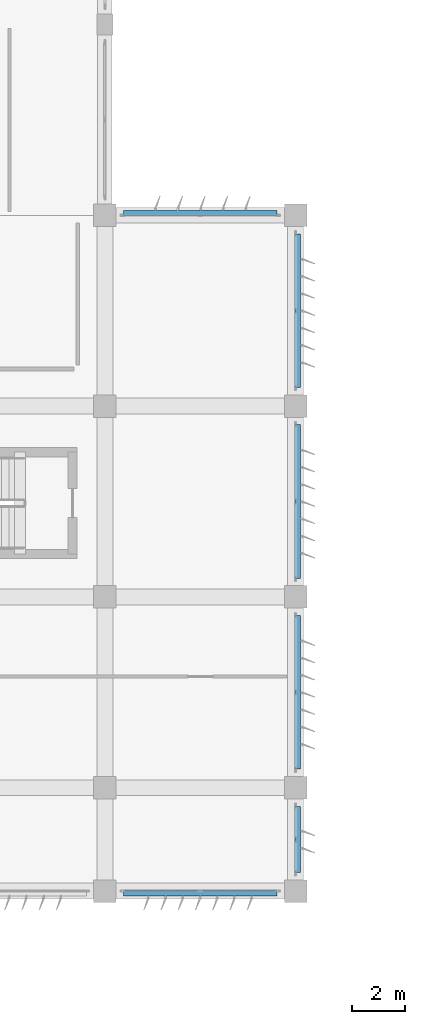
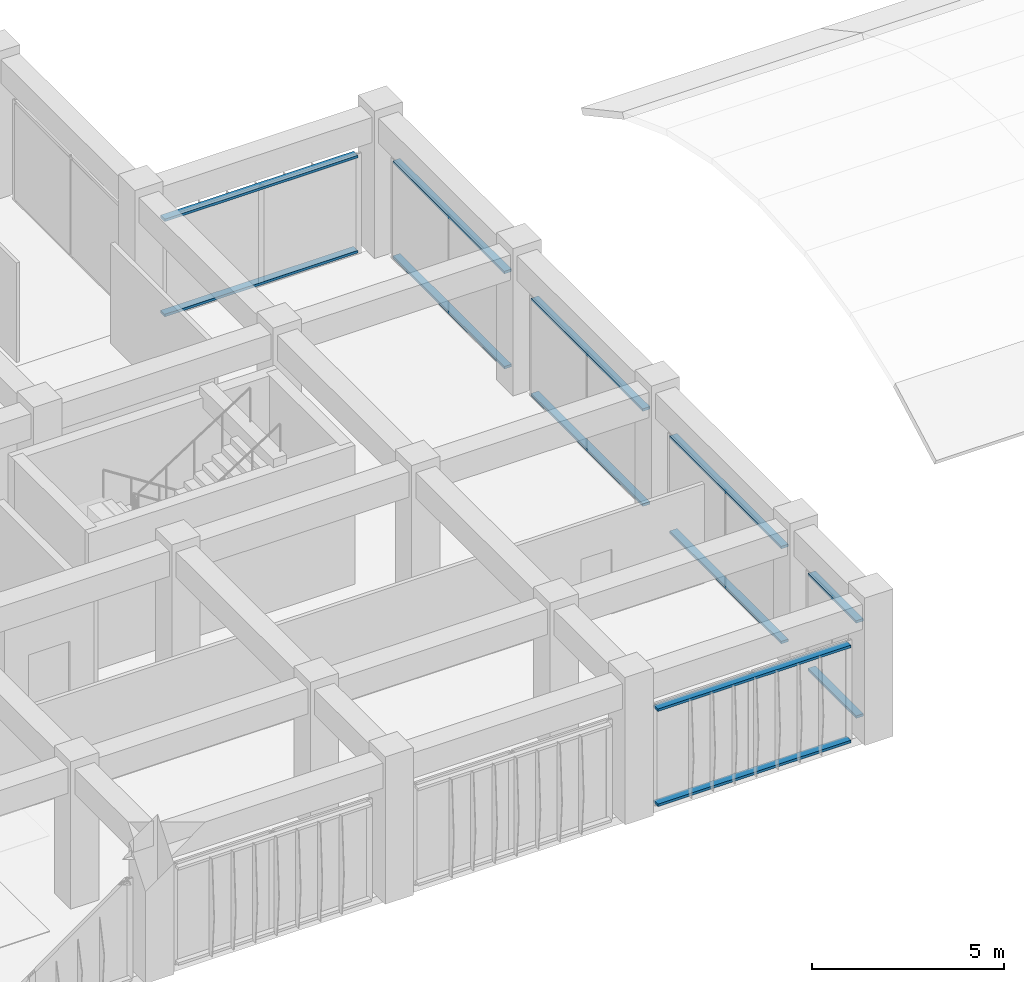
# One storey, part 41 of 55: 12 discrete accessories.
"""IFC4 building model written with IfcOpenShell, lengths in metres."""

from ifc_helpers import new_model, si_unit, direction, frame, origin, origin_2d, place, context, subcontext, project, spatial, rectangle, extrude, material, type_object, element, save


model = new_model("IFC4")

# Units and contexts
model_context = context("Model", 3, precision=1e-05, world=origin(), true_north=direction((0.0, 1.0)))
body_context = subcontext(model_context, "Body", "Model", "MODEL_VIEW")
ifc_project = project(units=[si_unit("LENGTHUNIT", "METRE"), si_unit("AREAUNIT", "SQUARE_METRE"), si_unit("VOLUMEUNIT", "CUBIC_METRE"), si_unit("PLANEANGLEUNIT", "RADIAN"), si_unit("MASSUNIT", "GRAM", prefix="KILO")], contexts=[model_context])

# Site, building, storey
site_placement = place(None, origin())
site = spatial("IfcSite", under=ifc_project, at=site_placement, CompositionType="ELEMENT")
building_placement = place(site_placement, origin())
building = spatial("IfcBuilding", under=site, at=building_placement, Name="Kazehaya Institute of Natural Sciences", CompositionType="ELEMENT")
storey_placement = place(building_placement, frame((0.0, 0.0, 15.1201171875)))
storey = spatial("IfcBuildingStorey", under=building, at=storey_placement, Name="L03", CompositionType="ELEMENT", Elevation=15.1201171875)

# Discrete accessories
ifc_material = material(Name="Aluminium alloy A6063S-T5", Category="aluminium")
discrete_accessory_type = type_object("IfcDiscreteAccessoryType", Name="ACC-BRK-01", PredefinedType="BRACKET", material=ifc_material)
for number, where, z_axis, x_axis, name in (
    (1, (115.800048828125, 10.02490234375, 0.039794921875), (0.0, 0.0, 1.0), (-1.0, 0.0, 0.0), "L03 fin support outrigger rail 1"),
    (2, (115.800048828125, 10.02490234375, 3.059814453125), (0.0, 0.0, 1.0), (-1.0, 0.0, 0.0), "L03 fin support outrigger rail 2"),
    (3, (115.800048828125, 35.675048828125, 0.039794921875), (0.0, 0.0, 1.0), (1.0, 0.0, 0.0), "L03 fin support outrigger rail 1"),
    (4, (115.800048828125, 35.675048828125, 3.059814453125), (0.0, 0.0, 1.0), (1.0, 0.0, 0.0), "L03 fin support outrigger rail 2"),
):
    element("IfcDiscreteAccessory", number, at=place(storey_placement, frame(where, z_axis=z_axis, x_axis=x_axis)), inside=storey, type_object=discrete_accessory_type, Name=name, PredefinedType="BRACKET", context=body_context, shape_type="SweptSolid", body=[
        extrude(rectangle(XDim=5.800048828125, YDim=0.219970703125, at=origin_2d()), origin(), (0.0, 0.0, 1.0), 0.080078125),
    ])
for number, where, z_axis, x_axis, name in (
    (5, (119.47509765625, 12.050048828125, 0.039794921875), (0.0, 0.0, 1.0), (0.0, -1.0, 0.0), "L03 fin support outrigger rail 1"),
    (6, (119.47509765625, 12.050048828125, 3.059814453125), (0.0, 0.0, 1.0), (0.0, -1.0, 0.0), "L03 fin support outrigger rail 2"),
):
    element("IfcDiscreteAccessory", number, at=place(storey_placement, frame(where, z_axis=z_axis, x_axis=x_axis)), inside=storey, type_object=discrete_accessory_type, Name=name, PredefinedType="BRACKET", context=body_context, shape_type="SweptSolid", body=[
        extrude(rectangle(XDim=2.5, YDim=0.219970703125, at=origin_2d()), origin(), (0.0, 0.0, 1.0), 0.080078125),
    ])
for number, where, z_axis, x_axis, name in (
    (7, (119.47509765625, 17.60009765625, 0.039794921875), (0.0, 0.0, 1.0), (0.0, -1.0, 0.0), "L03 fin support outrigger rail 1"),
    (8, (119.47509765625, 17.60009765625, 3.059814453125), (0.0, 0.0, 1.0), (0.0, -1.0, 0.0), "L03 fin support outrigger rail 2"),
    (9, (119.47509765625, 24.800048828125, 0.039794921875), (0.0, 0.0, 1.0), (0.0, -1.0, 0.0), "L03 fin support outrigger rail 1"),
    (10, (119.47509765625, 24.800048828125, 3.059814453125), (0.0, 0.0, 1.0), (0.0, -1.0, 0.0), "L03 fin support outrigger rail 2"),
    (11, (119.47509765625, 32.0, 0.039794921875), (0.0, 0.0, 1.0), (0.0, -1.0, 0.0), "L03 fin support outrigger rail 1"),
    (12, (119.47509765625, 32.0, 3.059814453125), (0.0, 0.0, 1.0), (0.0, -1.0, 0.0), "L03 fin support outrigger rail 2"),
):
    element("IfcDiscreteAccessory", number, at=place(storey_placement, frame(where, z_axis=z_axis, x_axis=x_axis)), inside=storey, type_object=discrete_accessory_type, Name=name, PredefinedType="BRACKET", context=body_context, shape_type="SweptSolid", body=[
        extrude(rectangle(XDim=5.800048828125, YDim=0.219970703125, at=origin_2d()), origin(), (0.0, 0.0, 1.0), 0.080078125),
    ])

save(model, "model.ifc")
